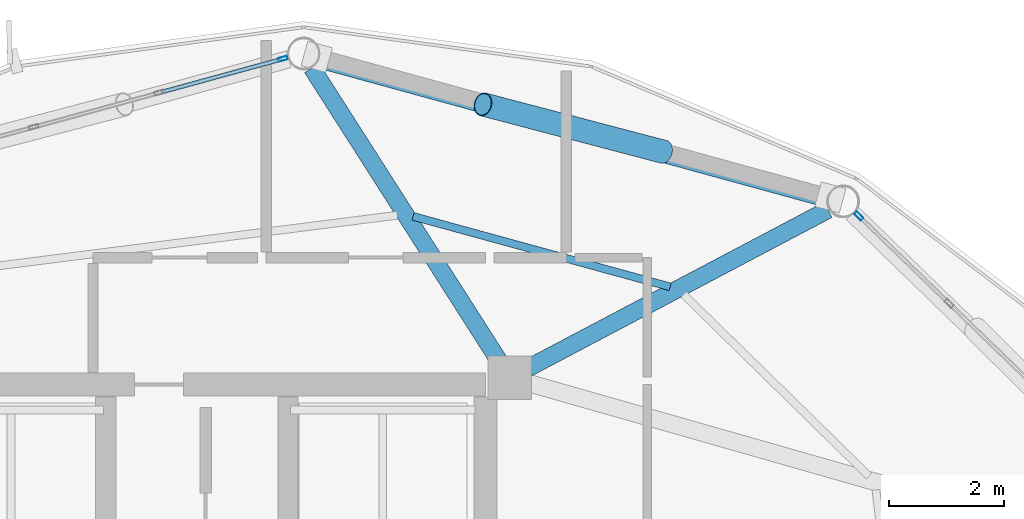
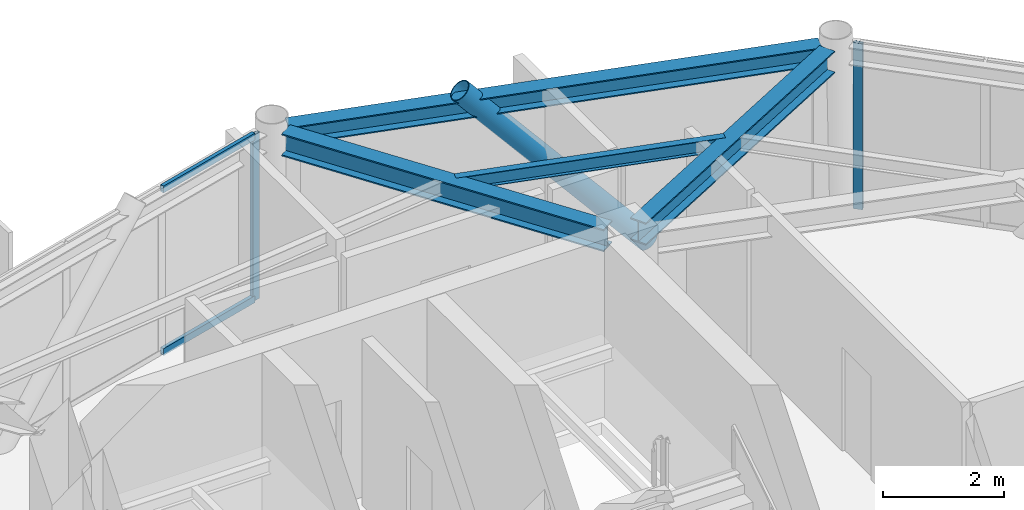
# One storey, part 19 of 27: 5 members, 4 beams, 2 elements without a shape of their own.
"""IFC4 building model written with IfcOpenShell, lengths in metres."""

from ifc_helpers import new_model, si_unit, direction, frame, origin, origin_2d, place, context, subcontext, project, spatial, hollow_rectangle, hollow_circle, i_section, extrude, material, layer, layer_set, material_profile, profile_set, type_object, element, aggregate, save


model = new_model("IFC4")

# Units and contexts
model_context = context("Model", 3, precision=1e-05, world=origin(), true_north=direction((0.0, 1.0)))
body_context = subcontext(model_context, "Body", "Model", "MODEL_VIEW")
ifc_project = project(units=[si_unit("LENGTHUNIT", "METRE"), si_unit("AREAUNIT", "SQUARE_METRE"), si_unit("VOLUMEUNIT", "CUBIC_METRE"), si_unit("PLANEANGLEUNIT", "RADIAN"), si_unit("MASSUNIT", "GRAM", prefix="KILO")], contexts=[model_context])

# Site, building, storey
site_placement = place(None, origin())
site = spatial("IfcSite", under=ifc_project, at=site_placement, CompositionType="ELEMENT")
building_placement = place(site_placement, origin())
building = spatial("IfcBuilding", under=site, at=building_placement, Name="Varnakorn Sky Granary", CompositionType="ELEMENT")
storey_placement = place(building_placement, frame((0.0, 0.0, 229.199951171875)))
storey = spatial("IfcBuildingStorey", under=building, at=storey_placement, Name="L58", CompositionType="ELEMENT", Elevation=229.199951171875)

# Beams
ifc_material_1 = material(Name="Steel S355JR", Category="steel")
ifc_material_profile_1 = material_profile(ifc_material_1, i_section(OverallWidth=0.300048828125, OverallDepth=0.449951171875, WebThickness=0.013916015625, FlangeThickness=0.02587890625, at=origin_2d()), Name="HE 450 B")
ifc_profile_set_1 = profile_set([ifc_material_profile_1], Name="Steel S355JR")
beam_type_1 = type_object("IfcBeamType", Name="BM-RAD-Z5", PredefinedType="BEAM", material=ifc_profile_set_1)
beam_1_placement = place(storey_placement, frame((8.73388671875, 12.78564453125, 3.135009765625), z_axis=(0.884425714656, 0.466680999457, 0.0), x_axis=(-0.466680999457, 0.884425714656, 0.0)))
element("IfcBeam", 1, at=beam_1_placement, inside=storey, type_object=beam_type_1, Name="Radial Floor Girder RG03 L58", PredefinedType="BEAM", context=body_context, shape_type="SweptSolid", body=[
    extrude(i_section(OverallWidth=0.300048828125, OverallDepth=0.449951171875, WebThickness=0.013916015625, FlangeThickness=0.02587890625, at=origin_2d()), origin(), (0.0, 0.0, 1.0), 5.876953125),
])
beam_2_placement = place(storey_placement, frame((8.22900390625, 12.919189453125, 3.135009765625), z_axis=(-0.538390879321, 0.84269523617, 0.0), x_axis=(-0.84269523617, -0.538390879321, 0.0)))
element("IfcBeam", 2, at=beam_2_placement, inside=storey, type_object=beam_type_1, Name="Radial Floor Girder RG04 L58", PredefinedType="BEAM", context=body_context, shape_type="SweptSolid", body=[
    extrude(i_section(OverallWidth=0.300048828125, OverallDepth=0.449951171875, WebThickness=0.013916015625, FlangeThickness=0.02587890625, at=origin_2d()), origin(), (0.0, 0.0, 1.0), 6.011474609375),
])
ifc_material_profile_2 = material_profile(ifc_material_1, i_section(OverallWidth=0.135009765625, OverallDepth=0.27001953125, WebThickness=0.006591796875, FlangeThickness=0.01025390625, at=origin_2d()), Name="IPE 270")
ifc_profile_set_2 = profile_set([ifc_material_profile_2], Name="Steel S355JR")
beam_type_2 = type_object("IfcBeamType", Name="BM-SEC-Z5", PredefinedType="BEAM", material=ifc_profile_set_2)
beam_3_placement = place(storey_placement, frame((11.19775390625, 14.194091796875, 3.22509765625), z_axis=(-0.964393087103, 0.264473011, 0.0), x_axis=(-0.264473011, -0.964393087103, 0.0)))
element("IfcBeam", 3, at=beam_3_placement, inside=storey, type_object=beam_type_2, Name="Secondary Floor Chord Beam MSB03 L58", PredefinedType="BEAM", context=body_context, shape_type="SweptSolid", body=[
    extrude(i_section(OverallWidth=0.135009765625, OverallDepth=0.27001953125, WebThickness=0.006591796875, FlangeThickness=0.01025390625, at=origin_2d()), origin(), (0.0, 0.0, 1.0), 4.616455078125),
])
ifc_material_profile_3 = material_profile(ifc_material_1, i_section(OverallWidth=0.300048828125, OverallDepth=0.360107421875, WebThickness=0.012451171875, FlangeThickness=0.0224609375, at=origin_2d()), Name="HE 360 B")
ifc_profile_set_3 = profile_set([ifc_material_profile_3], Name="Steel S355JR")
beam_type_3 = type_object("IfcBeamType", Name="BM-SPD-Z5", PredefinedType="SPANDREL", material=ifc_profile_set_3)
beam_4_placement = place(storey_placement, frame((13.910400390625, 15.7216796875, 3.179931640625), z_axis=(-0.964351705394, 0.264623861932, 0.0), x_axis=(-0.264623861932, -0.964351705394, 0.0)))
element("IfcBeam", 4, at=beam_4_placement, inside=storey, type_object=beam_type_3, Name="Perimeter Spandrel Ring Beam RB03 L58", PredefinedType="SPANDREL", context=body_context, shape_type="SweptSolid", body=[
    extrude(i_section(OverallWidth=0.300048828125, OverallDepth=0.360107421875, WebThickness=0.012451171875, FlangeThickness=0.0224609375, at=origin_2d()), origin(), (0.0, 0.0, 1.0), 9.130859375),
])

# Curtain wall, member
ifc_material_2 = material(Name="Anodised Bronze Aluminium Alloy 6063-T6", Category="aluminium")
ifc_layer = layer(ifc_material_2, 0.169921875, Name="Anodised Bronze Aluminium Alloy 6063-T6")
ifc_layer_set = layer_set([ifc_layer], Name="Anodised Bronze Aluminium Alloy 6063-T6")
curtain_wall_type = type_object("IfcCurtainWallType", Name="CW-LAB-1", PredefinedType="USERDEFINED", material=ifc_layer_set)
curtain_wall_1_placement = place(storey_placement, origin())
curtain_wall_1 = element("IfcCurtainWall", 5, at=curtain_wall_1_placement, inside=storey, type_object=curtain_wall_type, Name="Unitised Curtain Wall CW5 CW-L58-B02", ObjectType="CURTAIN WALL", PredefinedType="USERDEFINED")
ifc_material_profile_4 = material_profile(ifc_material_2, hollow_rectangle(XDim=0.06494140625, YDim=0.159912109375, WallThickness=0.00341796875, at=origin_2d()), Name="ALU MULL 65x160")
ifc_profile_set_4 = profile_set([ifc_material_profile_4], Name="Anodised Bronze Aluminium Alloy 6063-T6")
member_type_1 = type_object("IfcMemberType", Name="CW-LAB-1-MULL", PredefinedType="MULLION", material=ifc_profile_set_4)
member_1_placement = place(storey_placement, frame((14.466796875, 15.42236328125, 0.0), z_axis=(0.0, 0.0, 1.0), x_axis=(0.695640153276, 0.718390407195, 0.0)))
member_1 = element("IfcMember", 6, at=member_1_placement, type_object=member_type_1, Name="CW5 mullion 1", PredefinedType="MULLION", context=body_context, shape_type="SweptSolid", body=[
    extrude(hollow_rectangle(XDim=0.06494140625, YDim=0.159912109375, WallThickness=0.00341796875, at=origin_2d()), origin(), (0.0, 0.0, 1.0), 3.360107421875),
])
aggregate(curtain_wall_1, [member_1])

# Curtain wall, members
curtain_wall_2_placement = place(storey_placement, origin())
curtain_wall_2 = element("IfcCurtainWall", 7, at=curtain_wall_2_placement, inside=storey, type_object=curtain_wall_type, Name="Unitised Curtain Wall CW5 CW-L58-B04", ObjectType="CURTAIN WALL", PredefinedType="USERDEFINED")
member_2_placement = place(storey_placement, frame((4.4912109375, 18.143798828125, 0.0), z_axis=(0.0, 0.0, 1.0), x_axis=(-0.264172247962, 0.964475517267, 0.0)))
member_2 = element("IfcMember", 8, at=member_2_placement, type_object=member_type_1, Name="CW5 mullion 5", PredefinedType="MULLION", context=body_context, shape_type="SweptSolid", body=[
    extrude(hollow_rectangle(XDim=0.06494140625, YDim=0.159912109375, WallThickness=0.00341796875, at=origin_2d()), origin(), (0.0, 0.0, 1.0), 3.360107421875),
])
ifc_material_profile_5 = material_profile(ifc_material_2, hollow_rectangle(XDim=0.070068359375, YDim=0.139892578125, WallThickness=0.00341796875, at=origin_2d()), Name="ALU TRAN 70x140")
ifc_profile_set_5 = profile_set([ifc_material_profile_5], Name="Anodised Bronze Aluminium Alloy 6063-T6")
member_type_2 = type_object("IfcMemberType", Name="CW-LAB-1-TRAN", PredefinedType="USERDEFINED", material=ifc_profile_set_5)
member_3_placement = place(storey_placement, frame((2.38037109375, 17.5654296875, 0.03515625), z_axis=(0.964478443367, 0.264161564731, 0.0), x_axis=(-0.264161564731, 0.964478443367, 0.0)))
member_3 = element("IfcMember", 9, at=member_3_placement, type_object=member_type_2, Name="CW5 transom 4.1", ObjectType="TRANSOM", PredefinedType="USERDEFINED", context=body_context, shape_type="SweptSolid", body=[
    extrude(hollow_rectangle(XDim=0.070068359375, YDim=0.139892578125, WallThickness=0.00341796875, at=origin_2d()), origin(), (0.0, 0.0, 1.0), 2.15625),
])
member_4_placement = place(storey_placement, frame((2.38037109375, 17.5654296875, 3.324951171875), z_axis=(0.964478443367, 0.264161564731, 0.0), x_axis=(-0.264161564731, 0.964478443367, 0.0)))
member_4 = element("IfcMember", 10, at=member_4_placement, type_object=member_type_2, Name="CW5 transom 4.2", ObjectType="TRANSOM", PredefinedType="USERDEFINED", context=body_context, shape_type="SweptSolid", body=[
    extrude(hollow_rectangle(XDim=0.070068359375, YDim=0.139892578125, WallThickness=0.00341796875, at=origin_2d()), origin(), (0.0, 0.0, 1.0), 2.15625),
])
aggregate(curtain_wall_2, [member_2, member_3, member_4])

# Member
ifc_material_3 = material(Name="Steel S460M", Category="steel")
ifc_material_profile_6 = material_profile(ifc_material_3, hollow_circle(Radius=0.203125, WallThickness=0.01611328125, at=origin_2d()), Name="CHS 406.4x16")
ifc_profile_set_6 = profile_set([ifc_material_profile_6], Name="Steel S460M")
member_type_3 = type_object("IfcMemberType", Name="MB-DIAG-T4", PredefinedType="BRACE", material=ifc_profile_set_6)
member_5_placement = place(storey_placement, frame((11.0830078125, 16.53466796875, -0.1298828125), z_axis=(-0.6443939472, 0.169196162846, 0.745740638084), x_axis=(-0.253958160294, -0.967215205019, 0.0)))
element("IfcMember", 11, at=member_5_placement, inside=storey, type_object=member_type_3, Name="Perimeter CHS Diagrid Brace DG03 L58", PredefinedType="BRACE", context=body_context, shape_type="SweptSolid", body=[
    extrude(hollow_circle(Radius=0.203125, WallThickness=0.01611328125, at=origin_2d()), origin(), (0.0, 0.0, 1.0), 4.85400390625),
])

save(model, "model.ifc")
